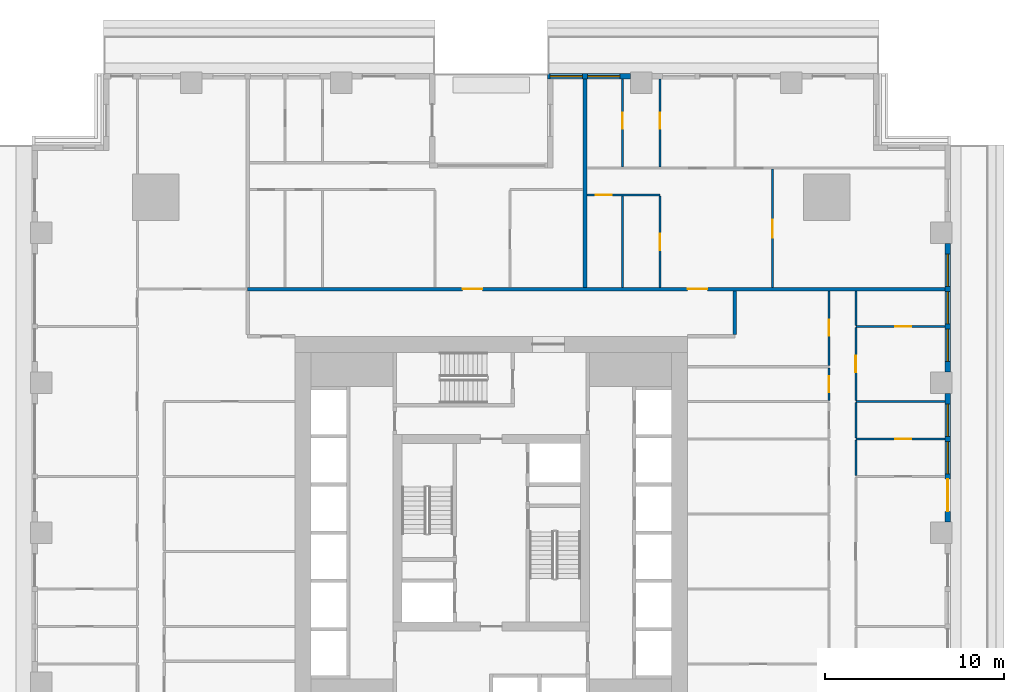
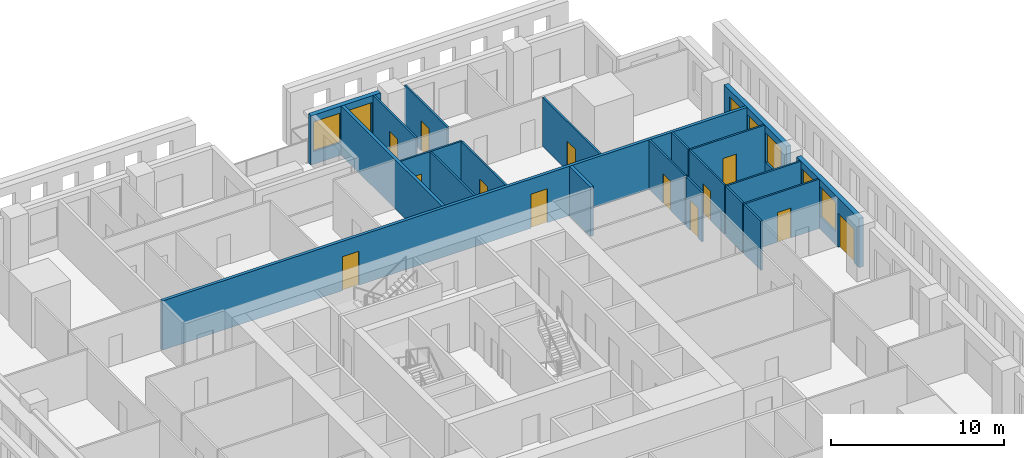
# One storey, part 9 of 16: 21 walls, 13 doors, 7 windows, 20 openings.
"""IFC4 building model written with IfcOpenShell, lengths in metres."""

from ifc_helpers import new_model, si_unit, direction, frame, frame_2d, origin, place, context, subcontext, project, spatial, rectangle, extrude, material, layer, layer_set, type_object, element, fill, save


model = new_model("IFC4")

# Units and contexts
model_context = context("Model", 3, precision=1e-05, world=origin(), true_north=direction((0.0, 1.0)))
body_context = subcontext(model_context, "Body", "Model", "MODEL_VIEW")
ifc_project = project(units=[si_unit("LENGTHUNIT", "METRE"), si_unit("AREAUNIT", "SQUARE_METRE"), si_unit("VOLUMEUNIT", "CUBIC_METRE"), si_unit("PLANEANGLEUNIT", "RADIAN"), si_unit("MASSUNIT", "GRAM", prefix="KILO")], contexts=[model_context])

# Site, building, storey
site_placement = place(None, origin())
site = spatial("IfcSite", under=ifc_project, at=site_placement, CompositionType="ELEMENT")
building_placement = place(site_placement, origin())
building = spatial("IfcBuilding", under=site, at=building_placement, Name="Khepri Terraces", CompositionType="ELEMENT")
storey_placement = place(building_placement, frame((0.0, 0.0, 133.800048828125)))
storey = spatial("IfcBuildingStorey", under=building, at=storey_placement, Name="L31", CompositionType="ELEMENT", Elevation=133.800048828125)

# Wall
ifc_material_1 = material(Name="Fire-rated gypsum plasterboard partition, mineral wool")
ifc_layer_1 = layer(ifc_material_1, 0.199951171875, Name="Fire-rated gypsum plasterboard partition, mineral wool")
ifc_layer_set_1 = layer_set([ifc_layer_1], Name="Fire-rated gypsum plasterboard partition, mineral wool")
wall_type_1 = type_object("IfcWallType", Name="WL-CORR-200", PredefinedType="PARTITIONING", material=ifc_layer_set_1)
wall_1_placement = place(storey_placement, frame((13.64990234375, 11.10009765625, 0.0), z_axis=(0.0, 0.0, 1.0), x_axis=(0.0, 1.0, 0.0)))
element("IfcWall", 1, at=wall_1_placement, inside=storey, type_object=wall_type_1, Name="Partition P-079 L31", PredefinedType="PARTITIONING", context=body_context, shape_type="SweptSolid", body=[
    extrude(rectangle(XDim=2.449951171875, YDim=0.199951171875, at=frame_2d((1.22509765625, 0.0))), origin(), (0.0, 0.0, 1.0), 3.47998046875),
])

# Wall, openings, doors
wall_2_placement = place(storey_placement, frame((-13.64990234375, 13.64990234375, 0.0), z_axis=(0.0, 0.0, 1.0), x_axis=(1.0, 0.0, 0.0)))
wall_2 = element("IfcWall", 2, at=wall_2_placement, inside=storey, type_object=wall_type_1, Name="Partition P-085 L31", PredefinedType="PARTITIONING", context=body_context, shape_type="SweptSolid", body=[
    extrude(rectangle(XDim=39.06982421875, YDim=0.199951171875, at=frame_2d((19.534912109375, 0.0))), origin(), (0.0, 0.0, 1.0), 3.47998046875),
])
opening_1_placement = place(wall_2_placement, frame((24.64990234375, 0.0, 0.0)))
opening_1 = element("IfcOpeningElement", 3, at=opening_1_placement, cuts=wall_2, Name="Opening D1", PredefinedType="OPENING", context=body_context, shape_type="SweptSolid", body=[
    extrude(rectangle(XDim=1.10009765625, YDim=2.39990234375, at=frame_2d((0.550048828125, 1.199951171875))), frame((0.0, 0.10986328125, 0.0), z_axis=(0.0, -1.0, 0.0), x_axis=(1.0, 0.0, 0.0)), (0.0, 0.0, 1.0), 0.219970703125),
])
opening_2_placement = place(wall_2_placement, frame((12.050048828125, 0.0, 0.0)))
opening_2 = element("IfcOpeningElement", 4, at=opening_2_placement, cuts=wall_2, Name="Opening D1", PredefinedType="OPENING", context=body_context, shape_type="SweptSolid", body=[
    extrude(rectangle(XDim=1.10009765625, YDim=2.39990234375, at=frame_2d((0.550048828125, 1.199951171875))), frame((0.0, 0.10986328125, 0.0), z_axis=(0.0, -1.0, 0.0), x_axis=(1.0, 0.0, 0.0)), (0.0, 0.0, 1.0), 0.219970703125),
])
ifc_material_2 = material(Name="Solid-core timber door leaf, flat entrance door", Category="wood")
door_type_1 = type_object("IfcDoorType", Name="DR-ENT-1100", OperationType="NOTDEFINED", PredefinedType="DOOR", material=ifc_material_2)
door_1_placement = place(opening_1_placement, origin())
door_1 = element("IfcDoor", 5, at=door_1_placement, inside=storey, type_object=door_type_1, Name="Flat C1 entrance door", OperationType="SINGLE_SWING_RIGHT", OverallHeight=2.39990234375, OverallWidth=1.10009765625, PredefinedType="DOOR", context=body_context, shape_type="SweptSolid", body=[
    extrude(rectangle(XDim=1.10009765625, YDim=2.39990234375, at=frame_2d((0.550048828125, 1.199951171875))), frame((0.0, 0.02490234375, 0.0), z_axis=(0.0, -1.0, 0.0), x_axis=(1.0, 0.0, 0.0)), (0.0, 0.0, 1.0), 0.050048828125),
])
fill(opening_1, door_1)
door_2_placement = place(opening_2_placement, origin())
door_2 = element("IfcDoor", 6, at=door_2_placement, inside=storey, type_object=door_type_1, Name="Flat C2 entrance door", OperationType="SINGLE_SWING_LEFT", OverallHeight=2.39990234375, OverallWidth=1.10009765625, PredefinedType="DOOR", context=body_context, shape_type="SweptSolid", body=[
    extrude(rectangle(XDim=1.10009765625, YDim=2.39990234375, at=frame_2d((0.550048828125, 1.199951171875))), frame((0.0, 0.02490234375, 0.0), z_axis=(0.0, -1.0, 0.0), x_axis=(1.0, 0.0, 0.0)), (0.0, 0.0, 1.0), 0.050048828125),
])
fill(opening_2, door_2)

# Wall
wall_3_placement = place(storey_placement, frame((5.25, 13.75, 0.0), z_axis=(0.0, 0.0, 1.0), x_axis=(0.0, 1.0, 0.0)))
element("IfcWall", 7, at=wall_3_placement, inside=storey, type_object=wall_type_1, Name="Partition P-092 L31", PredefinedType="PARTITIONING", context=body_context, shape_type="SweptSolid", body=[
    extrude(rectangle(XDim=11.669921875, YDim=0.199951171875, at=frame_2d((5.8349609375, 0.0))), origin(), (0.0, 0.0, 1.0), 3.47998046875),
])

# Wall, openings, door, windows
ifc_material_3 = material(Name="Precast concrete C50/60 warm stone", Category="masonry")
ifc_layer_2 = layer(ifc_material_3, 0.300048828125, Name="Precast concrete C50/60 warm stone", Category="masonry")
ifc_layer_set_2 = layer_set([ifc_layer_2], Name="Precast concrete C50/60 warm stone")
wall_type_2 = type_object("IfcWallType", Name="WL-EXT-PRECAST-300", PredefinedType="STANDARD", material=ifc_layer_set_2)
wall_4_placement = place(storey_placement, frame((25.570068359375, 0.60009765625, 0.0), z_axis=(0.0, 0.0, 1.0), x_axis=(0.0, 1.0, 0.0)))
wall_4 = element("IfcWall", 8, at=wall_4_placement, inside=storey, type_object=wall_type_2, Name="External wall L31 E", PredefinedType="STANDARD", context=body_context, shape_type="SweptSolid", body=[
    extrude(rectangle(XDim=7.199951171875, YDim=0.300048828125, at=frame_2d((3.60009765625, 0.0))), origin(), (0.0, 0.0, 1.0), 3.47998046875),
])
opening_3_placement = place(wall_4_placement, frame((0.60009765625, 0.0, 0.0)))
opening_3 = element("IfcOpeningElement", 9, at=opening_3_placement, cuts=wall_4, Name="Opening ED-L31-06", PredefinedType="OPENING", context=body_context, shape_type="SweptSolid", body=[
    extrude(rectangle(XDim=1.800048828125, YDim=2.39990234375, at=frame_2d((0.89990234375, 1.199951171875))), frame((0.0, 0.16015625, 0.0), z_axis=(0.0, -1.0, 0.0), x_axis=(1.0, 0.0, 0.0)), (0.0, 0.0, 1.0), 0.320068359375),
])
opening_4_placement = place(wall_4_placement, frame((2.699951171875, 0.0, 0.89990234375)))
opening_4 = element("IfcOpeningElement", 10, at=opening_4_placement, cuts=wall_4, Name="Opening W1", PredefinedType="OPENING", context=body_context, shape_type="SweptSolid", body=[
    extrude(rectangle(XDim=1.800048828125, YDim=2.10009765625, at=frame_2d((0.89990234375, 1.050048828125))), frame((0.0, 0.16015625, 0.0), z_axis=(0.0, -1.0, 0.0), x_axis=(1.0, 0.0, 0.0)), (0.0, 0.0, 1.0), 0.320068359375),
])
opening_5_placement = place(wall_4_placement, frame((4.800048828125, 0.0, 0.89990234375)))
opening_5 = element("IfcOpeningElement", 11, at=opening_5_placement, cuts=wall_4, Name="Opening W1", PredefinedType="OPENING", context=body_context, shape_type="SweptSolid", body=[
    extrude(rectangle(XDim=1.800048828125, YDim=2.10009765625, at=frame_2d((0.89990234375, 1.050048828125))), frame((0.0, 0.16015625, 0.0), z_axis=(0.0, -1.0, 0.0), x_axis=(1.0, 0.0, 0.0)), (0.0, 0.0, 1.0), 0.320068359375),
])
ifc_material_4 = material(Name="Anodised aluminium bronze glazed door", Category="aluminium")
door_type_2 = type_object("IfcDoorType", Name="DR-BAL-SLIDE-1800x2400", OperationType="NOTDEFINED", PredefinedType="DOOR", material=ifc_material_4)
door_3_placement = place(opening_3_placement, origin())
door_3 = element("IfcDoor", 12, at=door_3_placement, inside=storey, type_object=door_type_2, Name="Balcony door L31 E", OperationType="SLIDING_TO_LEFT", OverallHeight=2.39990234375, OverallWidth=1.800048828125, PredefinedType="DOOR", context=body_context, shape_type="SweptSolid", body=[
    extrude(rectangle(XDim=1.800048828125, YDim=2.39990234375, at=frame_2d((0.89990234375, 1.199951171875))), frame((0.0, 0.02490234375, 0.0), z_axis=(0.0, -1.0, 0.0), x_axis=(1.0, 0.0, 0.0)), (0.0, 0.0, 1.0), 0.050048828125),
])
fill(opening_3, door_3)
ifc_material_5 = material(Name="Clear glass", Category="glass")
window_type = type_object("IfcWindowType", Name="WIN-RES-1800x2100", PartitioningType="SINGLE_PANEL", PredefinedType="WINDOW", material=ifc_material_5)
window_1_placement = place(opening_4_placement, origin())
window_1 = element("IfcWindow", 13, at=window_1_placement, inside=storey, type_object=window_type, Name="Window L31 E", OverallHeight=2.10009765625, OverallWidth=1.800048828125, PartitioningType="SINGLE_PANEL", PredefinedType="WINDOW", context=body_context, shape_type="SweptSolid", body=[
    extrude(rectangle(XDim=1.800048828125, YDim=2.10009765625, at=frame_2d((0.89990234375, 1.050048828125))), frame((0.0, 0.030029296875, 0.0), z_axis=(0.0, -1.0, 0.0), x_axis=(1.0, 0.0, 0.0)), (0.0, 0.0, 1.0), 0.06005859375),
])
fill(opening_4, window_1)
window_2_placement = place(opening_5_placement, origin())
window_2 = element("IfcWindow", 14, at=window_2_placement, inside=storey, type_object=window_type, Name="Window L31 E", OverallHeight=2.10009765625, OverallWidth=1.800048828125, PartitioningType="SINGLE_PANEL", PredefinedType="WINDOW", context=body_context, shape_type="SweptSolid", body=[
    extrude(rectangle(XDim=1.800048828125, YDim=2.10009765625, at=frame_2d((0.89990234375, 1.050048828125))), frame((0.0, 0.030029296875, 0.0), z_axis=(0.0, -1.0, 0.0), x_axis=(1.0, 0.0, 0.0)), (0.0, 0.0, 1.0), 0.06005859375),
])
fill(opening_5, window_2)

# Wall, openings, windows
wall_5_placement = place(storey_placement, frame((25.570068359375, 9.0, 0.0), z_axis=(0.0, 0.0, 1.0), x_axis=(0.0, 1.0, 0.0)))
wall_5 = element("IfcWall", 15, at=wall_5_placement, inside=storey, type_object=wall_type_2, Name="External wall L31 E", PredefinedType="STANDARD", context=body_context, shape_type="SweptSolid", body=[
    extrude(rectangle(XDim=7.199951171875, YDim=0.300048828125, at=frame_2d((3.60009765625, 0.0))), origin(), (0.0, 0.0, 1.0), 3.47998046875),
])
opening_6_placement = place(wall_5_placement, frame((0.60009765625, 0.0, 0.89990234375)))
opening_6 = element("IfcOpeningElement", 16, at=opening_6_placement, cuts=wall_5, Name="Opening W1", PredefinedType="OPENING", context=body_context, shape_type="SweptSolid", body=[
    extrude(rectangle(XDim=1.800048828125, YDim=2.10009765625, at=frame_2d((0.89990234375, 1.050048828125))), frame((0.0, 0.16015625, 0.0), z_axis=(0.0, -1.0, 0.0), x_axis=(1.0, 0.0, 0.0)), (0.0, 0.0, 1.0), 0.320068359375),
])
opening_7_placement = place(wall_5_placement, frame((2.699951171875, 0.0, 0.89990234375)))
opening_7 = element("IfcOpeningElement", 17, at=opening_7_placement, cuts=wall_5, Name="Opening W1", PredefinedType="OPENING", context=body_context, shape_type="SweptSolid", body=[
    extrude(rectangle(XDim=1.800048828125, YDim=2.10009765625, at=frame_2d((0.89990234375, 1.050048828125))), frame((0.0, 0.16015625, 0.0), z_axis=(0.0, -1.0, 0.0), x_axis=(1.0, 0.0, 0.0)), (0.0, 0.0, 1.0), 0.320068359375),
])
opening_8_placement = place(wall_5_placement, frame((4.800048828125, 0.0, 0.89990234375)))
opening_8 = element("IfcOpeningElement", 18, at=opening_8_placement, cuts=wall_5, Name="Opening W1", PredefinedType="OPENING", context=body_context, shape_type="SweptSolid", body=[
    extrude(rectangle(XDim=1.800048828125, YDim=2.10009765625, at=frame_2d((0.89990234375, 1.050048828125))), frame((0.0, 0.16015625, 0.0), z_axis=(0.0, -1.0, 0.0), x_axis=(1.0, 0.0, 0.0)), (0.0, 0.0, 1.0), 0.320068359375),
])
window_3_placement = place(opening_6_placement, origin())
window_3 = element("IfcWindow", 19, at=window_3_placement, inside=storey, type_object=window_type, Name="Window L31 E", OverallHeight=2.10009765625, OverallWidth=1.800048828125, PartitioningType="SINGLE_PANEL", PredefinedType="WINDOW", context=body_context, shape_type="SweptSolid", body=[
    extrude(rectangle(XDim=1.800048828125, YDim=2.10009765625, at=frame_2d((0.89990234375, 1.050048828125))), frame((0.0, 0.030029296875, 0.0), z_axis=(0.0, -1.0, 0.0), x_axis=(1.0, 0.0, 0.0)), (0.0, 0.0, 1.0), 0.06005859375),
])
fill(opening_6, window_3)
window_4_placement = place(opening_7_placement, origin())
window_4 = element("IfcWindow", 20, at=window_4_placement, inside=storey, type_object=window_type, Name="Window L31 E", OverallHeight=2.10009765625, OverallWidth=1.800048828125, PartitioningType="SINGLE_PANEL", PredefinedType="WINDOW", context=body_context, shape_type="SweptSolid", body=[
    extrude(rectangle(XDim=1.800048828125, YDim=2.10009765625, at=frame_2d((0.89990234375, 1.050048828125))), frame((0.0, 0.030029296875, 0.0), z_axis=(0.0, -1.0, 0.0), x_axis=(1.0, 0.0, 0.0)), (0.0, 0.0, 1.0), 0.06005859375),
])
fill(opening_7, window_4)
window_5_placement = place(opening_8_placement, origin())
window_5 = element("IfcWindow", 21, at=window_5_placement, inside=storey, type_object=window_type, Name="Window L31 E", OverallHeight=2.10009765625, OverallWidth=1.800048828125, PartitioningType="SINGLE_PANEL", PredefinedType="WINDOW", context=body_context, shape_type="SweptSolid", body=[
    extrude(rectangle(XDim=1.800048828125, YDim=2.10009765625, at=frame_2d((0.89990234375, 1.050048828125))), frame((0.0, 0.030029296875, 0.0), z_axis=(0.0, -1.0, 0.0), x_axis=(1.0, 0.0, 0.0)), (0.0, 0.0, 1.0), 0.06005859375),
])
fill(opening_8, window_5)

wall_6_placement = place(storey_placement, frame((7.800048828125, 25.570068359375, 0.0), z_axis=(0.0, 0.0, 1.0), x_axis=(-1.0, 0.0, 0.0)))
wall_6 = element("IfcWall", 22, at=wall_6_placement, inside=storey, type_object=wall_type_2, Name="External wall L31 N", PredefinedType="STANDARD", context=body_context, shape_type="SweptSolid", body=[
    extrude(rectangle(XDim=4.650146484375, YDim=0.300048828125, at=frame_2d((2.3251953125, 0.0))), origin(), (0.0, 0.0, 1.0), 3.47998046875),
])
opening_9_placement = place(wall_6_placement, frame((0.60009765625, 0.0, 0.89990234375)))
opening_9 = element("IfcOpeningElement", 23, at=opening_9_placement, cuts=wall_6, Name="Opening W1", PredefinedType="OPENING", context=body_context, shape_type="SweptSolid", body=[
    extrude(rectangle(XDim=1.800048828125, YDim=2.10009765625, at=frame_2d((0.89990234375, 1.050048828125))), frame((0.0, 0.16015625, 0.0), z_axis=(0.0, -1.0, 0.0), x_axis=(1.0, 0.0, 0.0)), (0.0, 0.0, 1.0), 0.320068359375),
])
opening_10_placement = place(wall_6_placement, frame((2.699951171875, 0.0, 0.89990234375)))
opening_10 = element("IfcOpeningElement", 24, at=opening_10_placement, cuts=wall_6, Name="Opening W1", PredefinedType="OPENING", context=body_context, shape_type="SweptSolid", body=[
    extrude(rectangle(XDim=1.800048828125, YDim=2.10009765625, at=frame_2d((0.89990234375, 1.050048828125))), frame((0.0, 0.16015625, 0.0), z_axis=(0.0, -1.0, 0.0), x_axis=(1.0, 0.0, 0.0)), (0.0, 0.0, 1.0), 0.320068359375),
])
window_6_placement = place(opening_9_placement, origin())
window_6 = element("IfcWindow", 25, at=window_6_placement, inside=storey, type_object=window_type, Name="Window L31 N", OverallHeight=2.10009765625, OverallWidth=1.800048828125, PartitioningType="SINGLE_PANEL", PredefinedType="WINDOW", context=body_context, shape_type="SweptSolid", body=[
    extrude(rectangle(XDim=1.800048828125, YDim=2.10009765625, at=frame_2d((0.89990234375, 1.050048828125))), frame((0.0, 0.030029296875, 0.0), z_axis=(0.0, -1.0, 0.0), x_axis=(1.0, 0.0, 0.0)), (0.0, 0.0, 1.0), 0.06005859375),
])
fill(opening_9, window_6)
window_7_placement = place(opening_10_placement, origin())
window_7 = element("IfcWindow", 26, at=window_7_placement, inside=storey, type_object=window_type, Name="Window L31 N", OverallHeight=2.10009765625, OverallWidth=1.800048828125, PartitioningType="SINGLE_PANEL", PredefinedType="WINDOW", context=body_context, shape_type="SweptSolid", body=[
    extrude(rectangle(XDim=1.800048828125, YDim=2.10009765625, at=frame_2d((0.89990234375, 1.050048828125))), frame((0.0, 0.030029296875, 0.0), z_axis=(0.0, -1.0, 0.0), x_axis=(1.0, 0.0, 0.0)), (0.0, 0.0, 1.0), 0.06005859375),
])
fill(opening_10, window_7)

# Wall
ifc_material_6 = material(Name="Gypsum plasterboard partition")
ifc_layer_3 = layer(ifc_material_6, 0.1201171875, Name="Gypsum plasterboard partition")
ifc_layer_set_3 = layer_set([ifc_layer_3], Name="Gypsum plasterboard partition")
wall_type_3 = type_object("IfcWallType", Name="WL-PART-120", PredefinedType="PARTITIONING", material=ifc_layer_set_3)
wall_7_placement = place(storey_placement, frame((20.419921875, 3.2099609375, 0.0), z_axis=(0.0, 0.0, 1.0), x_axis=(0.0, 1.0, 0.0)))
element("IfcWall", 27, at=wall_7_placement, inside=storey, type_object=wall_type_3, Name="Partition P-064 L31", PredefinedType="PARTITIONING", context=body_context, shape_type="SweptSolid", body=[
    extrude(rectangle(XDim=1.97998046875, YDim=0.1201171875, at=frame_2d((0.989990234375, 0.0))), origin(), (0.0, 0.0, 1.0), 3.47998046875),
])

# Wall, opening, door
wall_8_placement = place(storey_placement, frame((20.419921875, 5.25, 0.0), z_axis=(0.0, 0.0, 1.0), x_axis=(1.0, 0.0, 0.0)))
wall_8 = element("IfcWall", 28, at=wall_8_placement, inside=storey, type_object=wall_type_3, Name="Partition P-066 L31", PredefinedType="PARTITIONING", context=body_context, shape_type="SweptSolid", body=[
    extrude(rectangle(XDim=5.0, YDim=0.1201171875, at=frame_2d((2.5, 0.0))), origin(), (0.0, 0.0, 1.0), 3.47998046875),
])
opening_11_placement = place(wall_8_placement, frame((2.199951171875, 0.0, 0.0)))
opening_11 = element("IfcOpeningElement", 29, at=opening_11_placement, cuts=wall_8, Name="Opening D4", PredefinedType="OPENING", context=body_context, shape_type="SweptSolid", body=[
    extrude(rectangle(XDim=0.89990234375, YDim=2.10009765625, at=frame_2d((0.449951171875, 1.050048828125))), frame((0.0, 0.070068359375, 0.0), z_axis=(0.0, -1.0, 0.0), x_axis=(1.0, 0.0, 0.0)), (0.0, 0.0, 1.0), 0.14013671875),
])
ifc_material_7 = material(Name="Timber door leaf, moisture resistant", Category="wood")
door_type_3 = type_object("IfcDoorType", Name="DR-WET-900", OperationType="NOTDEFINED", PredefinedType="DOOR", material=ifc_material_7)
door_4_placement = place(opening_11_placement, origin())
door_4 = element("IfcDoor", 30, at=door_4_placement, inside=storey, type_object=door_type_3, Name="Door Bathroom", OperationType="SINGLE_SWING_RIGHT", OverallHeight=2.10009765625, OverallWidth=0.89990234375, PredefinedType="DOOR", context=body_context, shape_type="SweptSolid", body=[
    extrude(rectangle(XDim=0.89990234375, YDim=2.10009765625, at=frame_2d((0.449951171875, 1.050048828125))), frame((0.0, 0.02490234375, 0.0), z_axis=(0.0, -1.0, 0.0), x_axis=(1.0, 0.0, 0.0)), (0.0, 0.0, 1.0), 0.050048828125),
])
fill(opening_11, door_4)

# Walls
wall_9_placement = place(storey_placement, frame((20.419921875, 5.31005859375, 0.0), z_axis=(0.0, 0.0, 1.0), x_axis=(0.0, 1.0, 0.0)))
element("IfcWall", 31, at=wall_9_placement, inside=storey, type_object=wall_type_3, Name="Partition P-068 L31", PredefinedType="PARTITIONING", context=body_context, shape_type="SweptSolid", body=[
    extrude(rectangle(XDim=1.97998046875, YDim=0.1201171875, at=frame_2d((0.989990234375, 0.0))), origin(), (0.0, 0.0, 1.0), 3.47998046875),
])
wall_10_placement = place(storey_placement, frame((20.419921875, 7.35009765625, 0.0), z_axis=(0.0, 0.0, 1.0), x_axis=(1.0, 0.0, 0.0)))
element("IfcWall", 32, at=wall_10_placement, inside=storey, type_object=wall_type_3, Name="Partition P-071 L31", PredefinedType="PARTITIONING", context=body_context, shape_type="SweptSolid", body=[
    extrude(rectangle(XDim=5.0, YDim=0.1201171875, at=frame_2d((2.5, 0.0))), origin(), (0.0, 0.0, 1.0), 3.47998046875),
])

# Wall, opening, door
wall_11_placement = place(storey_placement, frame((18.919921875, 7.409912109375, 0.0), z_axis=(0.0, 0.0, 1.0), x_axis=(0.0, 1.0, 0.0)))
wall_11 = element("IfcWall", 33, at=wall_11_placement, inside=storey, type_object=wall_type_3, Name="Partition P-072 L31", PredefinedType="PARTITIONING", context=body_context, shape_type="SweptSolid", body=[
    extrude(rectangle(XDim=1.830078125, YDim=0.1201171875, at=frame_2d((0.9150390625, 0.0))), origin(), (0.0, 0.0, 1.0), 3.47998046875),
])
opening_12_placement = place(wall_11_placement, frame((0.465087890625, 0.0, 0.0)))
opening_12 = element("IfcOpeningElement", 34, at=opening_12_placement, cuts=wall_11, Name="Opening D4", PredefinedType="OPENING", context=body_context, shape_type="SweptSolid", body=[
    extrude(rectangle(XDim=0.89990234375, YDim=2.10009765625, at=frame_2d((0.449951171875, 1.050048828125))), frame((0.0, 0.070068359375, 0.0), z_axis=(0.0, -1.0, 0.0), x_axis=(1.0, 0.0, 0.0)), (0.0, 0.0, 1.0), 0.14013671875),
])
door_5_placement = place(opening_12_placement, origin())
door_5 = element("IfcDoor", 35, at=door_5_placement, inside=storey, type_object=door_type_3, Name="Door Guest Bathroom", OperationType="SINGLE_SWING_LEFT", OverallHeight=2.10009765625, OverallWidth=0.89990234375, PredefinedType="DOOR", context=body_context, shape_type="SweptSolid", body=[
    extrude(rectangle(XDim=0.89990234375, YDim=2.10009765625, at=frame_2d((0.449951171875, 1.050048828125))), frame((0.0, 0.02490234375, 0.0), z_axis=(0.0, -1.0, 0.0), x_axis=(1.0, 0.0, 0.0)), (0.0, 0.0, 1.0), 0.050048828125),
])
fill(opening_12, door_5)

wall_12_placement = place(storey_placement, frame((20.419921875, 7.409912109375, 0.0), z_axis=(0.0, 0.0, 1.0), x_axis=(0.0, 1.0, 0.0)))
wall_12 = element("IfcWall", 36, at=wall_12_placement, inside=storey, type_object=wall_type_3, Name="Partition P-073 L31", PredefinedType="PARTITIONING", context=body_context, shape_type="SweptSolid", body=[
    extrude(rectangle(XDim=4.080078125, YDim=0.1201171875, at=frame_2d((2.0400390625, 0.0))), origin(), (0.0, 0.0, 1.0), 3.47998046875),
])
opening_13_placement = place(wall_12_placement, frame((1.590087890625, 0.0, 0.0)))
opening_13 = element("IfcOpeningElement", 37, at=opening_13_placement, cuts=wall_12, Name="Opening D3", PredefinedType="OPENING", context=body_context, shape_type="SweptSolid", body=[
    extrude(rectangle(XDim=0.89990234375, YDim=2.10009765625, at=frame_2d((0.449951171875, 1.050048828125))), frame((0.0, 0.070068359375, 0.0), z_axis=(0.0, -1.0, 0.0), x_axis=(1.0, 0.0, 0.0)), (0.0, 0.0, 1.0), 0.14013671875),
])
ifc_material_8 = material(Name="Timber door leaf", Category="wood")
door_type_4 = type_object("IfcDoorType", Name="DR-INT-900", OperationType="NOTDEFINED", PredefinedType="DOOR", material=ifc_material_8)
door_6_placement = place(opening_13_placement, frame((0.89990234375, 0.0, 0.0), z_axis=(0.0, 0.0, 1.0), x_axis=(-1.0, 0.0, 0.0)))
door_6 = element("IfcDoor", 38, at=door_6_placement, inside=storey, type_object=door_type_4, Name="Door Bedroom", OperationType="SINGLE_SWING_RIGHT", OverallHeight=2.10009765625, OverallWidth=0.89990234375, PredefinedType="DOOR", context=body_context, shape_type="SweptSolid", body=[
    extrude(rectangle(XDim=0.89990234375, YDim=2.10009765625, at=frame_2d((0.449951171875, 1.050048828125))), frame((0.0, 0.02490234375, 0.0), z_axis=(0.0, -1.0, 0.0), x_axis=(1.0, 0.0, 0.0)), (0.0, 0.0, 1.0), 0.050048828125),
])
fill(opening_13, door_6)

wall_13_placement = place(storey_placement, frame((18.919921875, 9.360107421875, 0.0), z_axis=(0.0, 0.0, 1.0), x_axis=(0.0, 1.0, 0.0)))
wall_13 = element("IfcWall", 39, at=wall_13_placement, inside=storey, type_object=wall_type_3, Name="Partition P-075 L31", PredefinedType="PARTITIONING", context=body_context, shape_type="SweptSolid", body=[
    extrude(rectangle(XDim=4.18994140625, YDim=0.1201171875, at=frame_2d((2.094970703125, 0.0))), origin(), (0.0, 0.0, 1.0), 3.47998046875),
])
opening_14_placement = place(wall_13_placement, frame((1.6650390625, 0.0, 0.0)))
opening_14 = element("IfcOpeningElement", 40, at=opening_14_placement, cuts=wall_13, Name="Opening D3", PredefinedType="OPENING", context=body_context, shape_type="SweptSolid", body=[
    extrude(rectangle(XDim=0.89990234375, YDim=2.10009765625, at=frame_2d((0.449951171875, 1.050048828125))), frame((0.0, 0.070068359375, 0.0), z_axis=(0.0, -1.0, 0.0), x_axis=(1.0, 0.0, 0.0)), (0.0, 0.0, 1.0), 0.14013671875),
])
door_7_placement = place(opening_14_placement, origin())
door_7 = element("IfcDoor", 41, at=door_7_placement, inside=storey, type_object=door_type_4, Name="Door Library", OperationType="SINGLE_SWING_RIGHT", OverallHeight=2.10009765625, OverallWidth=0.89990234375, PredefinedType="DOOR", context=body_context, shape_type="SweptSolid", body=[
    extrude(rectangle(XDim=0.89990234375, YDim=2.10009765625, at=frame_2d((0.449951171875, 1.050048828125))), frame((0.0, 0.02490234375, 0.0), z_axis=(0.0, -1.0, 0.0), x_axis=(1.0, 0.0, 0.0)), (0.0, 0.0, 1.0), 0.050048828125),
])
fill(opening_14, door_7)

wall_14_placement = place(storey_placement, frame((20.419921875, 11.550048828125, 0.0), z_axis=(0.0, 0.0, 1.0), x_axis=(1.0, 0.0, 0.0)))
wall_14 = element("IfcWall", 42, at=wall_14_placement, inside=storey, type_object=wall_type_3, Name="Partition P-081 L31", PredefinedType="PARTITIONING", context=body_context, shape_type="SweptSolid", body=[
    extrude(rectangle(XDim=5.0, YDim=0.1201171875, at=frame_2d((2.5, 0.0))), origin(), (0.0, 0.0, 1.0), 3.47998046875),
])
opening_15_placement = place(wall_14_placement, frame((2.199951171875, 0.0, 0.0)))
opening_15 = element("IfcOpeningElement", 43, at=opening_15_placement, cuts=wall_14, Name="Opening D4", PredefinedType="OPENING", context=body_context, shape_type="SweptSolid", body=[
    extrude(rectangle(XDim=0.89990234375, YDim=2.10009765625, at=frame_2d((0.449951171875, 1.050048828125))), frame((0.0, 0.070068359375, 0.0), z_axis=(0.0, -1.0, 0.0), x_axis=(1.0, 0.0, 0.0)), (0.0, 0.0, 1.0), 0.14013671875),
])
door_8_placement = place(opening_15_placement, origin())
door_8 = element("IfcDoor", 44, at=door_8_placement, inside=storey, type_object=door_type_3, Name="Door Bathroom", OperationType="SINGLE_SWING_RIGHT", OverallHeight=2.10009765625, OverallWidth=0.89990234375, PredefinedType="DOOR", context=body_context, shape_type="SweptSolid", body=[
    extrude(rectangle(XDim=0.89990234375, YDim=2.10009765625, at=frame_2d((0.449951171875, 1.050048828125))), frame((0.0, 0.02490234375, 0.0), z_axis=(0.0, -1.0, 0.0), x_axis=(1.0, 0.0, 0.0)), (0.0, 0.0, 1.0), 0.050048828125),
])
fill(opening_15, door_8)

# Walls
wall_15_placement = place(storey_placement, frame((20.419921875, 11.610107421875, 0.0), z_axis=(0.0, 0.0, 1.0), x_axis=(0.0, 1.0, 0.0)))
element("IfcWall", 45, at=wall_15_placement, inside=storey, type_object=wall_type_3, Name="Partition P-083 L31", PredefinedType="PARTITIONING", context=body_context, shape_type="SweptSolid", body=[
    extrude(rectangle(XDim=1.93994140625, YDim=0.1201171875, at=frame_2d((0.969970703125, 0.0))), origin(), (0.0, 0.0, 1.0), 3.47998046875),
])
wall_16_placement = place(storey_placement, frame((7.35009765625, 13.75, 0.0), z_axis=(0.0, 0.0, 1.0), x_axis=(0.0, 1.0, 0.0)))
element("IfcWall", 46, at=wall_16_placement, inside=storey, type_object=wall_type_3, Name="Partition P-093 L31", PredefinedType="PARTITIONING", context=body_context, shape_type="SweptSolid", body=[
    extrude(rectangle(XDim=5.110107421875, YDim=0.1201171875, at=frame_2d((2.55517578125, 0.0))), origin(), (0.0, 0.0, 1.0), 3.47998046875),
])

# Wall, opening, door
wall_17_placement = place(storey_placement, frame((9.449951171875, 13.75, 0.0), z_axis=(0.0, 0.0, 1.0), x_axis=(0.0, 1.0, 0.0)))
wall_17 = element("IfcWall", 47, at=wall_17_placement, inside=storey, type_object=wall_type_3, Name="Partition P-094 L31", PredefinedType="PARTITIONING", context=body_context, shape_type="SweptSolid", body=[
    extrude(rectangle(XDim=5.110107421875, YDim=0.1201171875, at=frame_2d((2.55517578125, 0.0))), origin(), (0.0, 0.0, 1.0), 3.47998046875),
])
opening_16_placement = place(wall_17_placement, frame((2.0849609375, 0.0, 0.0)))
opening_16 = element("IfcOpeningElement", 48, at=opening_16_placement, cuts=wall_17, Name="Opening D4", PredefinedType="OPENING", context=body_context, shape_type="SweptSolid", body=[
    extrude(rectangle(XDim=0.89990234375, YDim=2.10009765625, at=frame_2d((0.449951171875, 1.050048828125))), frame((0.0, 0.070068359375, 0.0), z_axis=(0.0, -1.0, 0.0), x_axis=(1.0, 0.0, 0.0)), (0.0, 0.0, 1.0), 0.14013671875),
])
door_9_placement = place(opening_16_placement, origin())
door_9 = element("IfcDoor", 49, at=door_9_placement, inside=storey, type_object=door_type_3, Name="Door Guest Bathroom", OperationType="SINGLE_SWING_LEFT", OverallHeight=2.10009765625, OverallWidth=0.89990234375, PredefinedType="DOOR", context=body_context, shape_type="SweptSolid", body=[
    extrude(rectangle(XDim=0.89990234375, YDim=2.10009765625, at=frame_2d((0.449951171875, 1.050048828125))), frame((0.0, 0.02490234375, 0.0), z_axis=(0.0, -1.0, 0.0), x_axis=(1.0, 0.0, 0.0)), (0.0, 0.0, 1.0), 0.050048828125),
])
fill(opening_16, door_9)

wall_18_placement = place(storey_placement, frame((15.75, 13.75, 0.0), z_axis=(0.0, 0.0, 1.0), x_axis=(0.0, 1.0, 0.0)))
wall_18 = element("IfcWall", 50, at=wall_18_placement, inside=storey, type_object=wall_type_3, Name="Partition P-095 L31", PredefinedType="PARTITIONING", context=body_context, shape_type="SweptSolid", body=[
    extrude(rectangle(XDim=6.610107421875, YDim=0.1201171875, at=frame_2d((3.30517578125, 0.0))), origin(), (0.0, 0.0, 1.0), 3.47998046875),
])
opening_17_placement = place(wall_18_placement, frame((2.784912109375, 0.0, 0.0)))
opening_17 = element("IfcOpeningElement", 51, at=opening_17_placement, cuts=wall_18, Name="Opening D2", PredefinedType="OPENING", context=body_context, shape_type="SweptSolid", body=[
    extrude(rectangle(XDim=1.0, YDim=2.10009765625, at=frame_2d((0.5, 1.050048828125))), frame((0.0, 0.070068359375, 0.0), z_axis=(0.0, -1.0, 0.0), x_axis=(1.0, 0.0, 0.0)), (0.0, 0.0, 1.0), 0.14013671875),
])
ifc_material_9 = material(Name="Timber door leaf, living room door", Category="wood")
door_type_5 = type_object("IfcDoorType", Name="DR-INT-1000", OperationType="NOTDEFINED", PredefinedType="DOOR", material=ifc_material_9)
door_10_placement = place(opening_17_placement, frame((1.0, 0.0, 0.0), z_axis=(0.0, 0.0, 1.0), x_axis=(-1.0, 0.0, 0.0)))
door_10 = element("IfcDoor", 52, at=door_10_placement, inside=storey, type_object=door_type_5, Name="Door Family Room", OperationType="SINGLE_SWING_RIGHT", OverallHeight=2.10009765625, OverallWidth=1.0, PredefinedType="DOOR", context=body_context, shape_type="SweptSolid", body=[
    extrude(rectangle(XDim=1.0, YDim=2.10009765625, at=frame_2d((0.5, 1.050048828125))), frame((0.0, 0.02490234375, 0.0), z_axis=(0.0, -1.0, 0.0), x_axis=(1.0, 0.0, 0.0)), (0.0, 0.0, 1.0), 0.050048828125),
])
fill(opening_17, door_10)

wall_19_placement = place(storey_placement, frame((5.35009765625, 18.919921875, 0.0), z_axis=(0.0, 0.0, 1.0), x_axis=(1.0, 0.0, 0.0)))
wall_19 = element("IfcWall", 53, at=wall_19_placement, inside=storey, type_object=wall_type_3, Name="Partition P-096 L31", PredefinedType="PARTITIONING", context=body_context, shape_type="SweptSolid", body=[
    extrude(rectangle(XDim=4.099853515625, YDim=0.1201171875, at=frame_2d((2.0498046875, 0.0))), origin(), (0.0, 0.0, 1.0), 3.47998046875),
])
opening_18_placement = place(wall_19_placement, frame((0.5, 0.0, 0.0)))
opening_18 = element("IfcOpeningElement", 54, at=opening_18_placement, cuts=wall_19, Name="Opening D3", PredefinedType="OPENING", context=body_context, shape_type="SweptSolid", body=[
    extrude(rectangle(XDim=0.89990234375, YDim=2.10009765625, at=frame_2d((0.449951171875, 1.050048828125))), frame((0.0, 0.070068359375, 0.0), z_axis=(0.0, -1.0, 0.0), x_axis=(1.0, 0.0, 0.0)), (0.0, 0.0, 1.0), 0.14013671875),
])
door_11_placement = place(opening_18_placement, frame((0.89990234375, 0.0, 0.0), z_axis=(0.0, 0.0, 1.0), x_axis=(-1.0, 0.0, 0.0)))
door_11 = element("IfcDoor", 55, at=door_11_placement, inside=storey, type_object=door_type_4, Name="Door Kitchen", OperationType="SINGLE_SWING_RIGHT", OverallHeight=2.10009765625, OverallWidth=0.89990234375, PredefinedType="DOOR", context=body_context, shape_type="SweptSolid", body=[
    extrude(rectangle(XDim=0.89990234375, YDim=2.10009765625, at=frame_2d((0.449951171875, 1.050048828125))), frame((0.0, 0.02490234375, 0.0), z_axis=(0.0, -1.0, 0.0), x_axis=(1.0, 0.0, 0.0)), (0.0, 0.0, 1.0), 0.050048828125),
])
fill(opening_18, door_11)

wall_20_placement = place(storey_placement, frame((7.35009765625, 20.47998046875, 0.0), z_axis=(0.0, 0.0, 1.0), x_axis=(0.0, 1.0, 0.0)))
wall_20 = element("IfcWall", 56, at=wall_20_placement, inside=storey, type_object=wall_type_3, Name="Partition P-101 L31", PredefinedType="PARTITIONING", context=body_context, shape_type="SweptSolid", body=[
    extrude(rectangle(XDim=4.93994140625, YDim=0.1201171875, at=frame_2d((2.469970703125, 0.0))), origin(), (0.0, 0.0, 1.0), 3.47998046875),
])
opening_19_placement = place(wall_20_placement, frame((2.139892578125, 0.0, 0.0)))
opening_19 = element("IfcOpeningElement", 57, at=opening_19_placement, cuts=wall_20, Name="Opening D4", PredefinedType="OPENING", context=body_context, shape_type="SweptSolid", body=[
    extrude(rectangle(XDim=0.89990234375, YDim=2.10009765625, at=frame_2d((0.449951171875, 1.050048828125))), frame((0.0, 0.070068359375, 0.0), z_axis=(0.0, -1.0, 0.0), x_axis=(1.0, 0.0, 0.0)), (0.0, 0.0, 1.0), 0.14013671875),
])
door_12_placement = place(opening_19_placement, origin())
door_12 = element("IfcDoor", 58, at=door_12_placement, inside=storey, type_object=door_type_3, Name="Door Bathroom", OperationType="SINGLE_SWING_RIGHT", OverallHeight=2.10009765625, OverallWidth=0.89990234375, PredefinedType="DOOR", context=body_context, shape_type="SweptSolid", body=[
    extrude(rectangle(XDim=0.89990234375, YDim=2.10009765625, at=frame_2d((0.449951171875, 1.050048828125))), frame((0.0, 0.02490234375, 0.0), z_axis=(0.0, -1.0, 0.0), x_axis=(1.0, 0.0, 0.0)), (0.0, 0.0, 1.0), 0.050048828125),
])
fill(opening_19, door_12)

wall_21_placement = place(storey_placement, frame((9.449951171875, 20.47998046875, 0.0), z_axis=(0.0, 0.0, 1.0), x_axis=(0.0, 1.0, 0.0)))
wall_21 = element("IfcWall", 59, at=wall_21_placement, inside=storey, type_object=wall_type_3, Name="Partition P-102 L31", PredefinedType="PARTITIONING", context=body_context, shape_type="SweptSolid", body=[
    extrude(rectangle(XDim=4.93994140625, YDim=0.1201171875, at=frame_2d((2.469970703125, 0.0))), origin(), (0.0, 0.0, 1.0), 3.47998046875),
])
opening_20_placement = place(wall_21_placement, frame((2.139892578125, 0.0, 0.0)))
opening_20 = element("IfcOpeningElement", 60, at=opening_20_placement, cuts=wall_21, Name="Opening D3", PredefinedType="OPENING", context=body_context, shape_type="SweptSolid", body=[
    extrude(rectangle(XDim=0.89990234375, YDim=2.10009765625, at=frame_2d((0.449951171875, 1.050048828125))), frame((0.0, 0.070068359375, 0.0), z_axis=(0.0, -1.0, 0.0), x_axis=(1.0, 0.0, 0.0)), (0.0, 0.0, 1.0), 0.14013671875),
])
door_13_placement = place(opening_20_placement, origin())
door_13 = element("IfcDoor", 61, at=door_13_placement, inside=storey, type_object=door_type_4, Name="Door Dressing Room", OperationType="SINGLE_SWING_RIGHT", OverallHeight=2.10009765625, OverallWidth=0.89990234375, PredefinedType="DOOR", context=body_context, shape_type="SweptSolid", body=[
    extrude(rectangle(XDim=0.89990234375, YDim=2.10009765625, at=frame_2d((0.449951171875, 1.050048828125))), frame((0.0, 0.02490234375, 0.0), z_axis=(0.0, -1.0, 0.0), x_axis=(1.0, 0.0, 0.0)), (0.0, 0.0, 1.0), 0.050048828125),
])
fill(opening_20, door_13)

save(model, "model.ifc")
